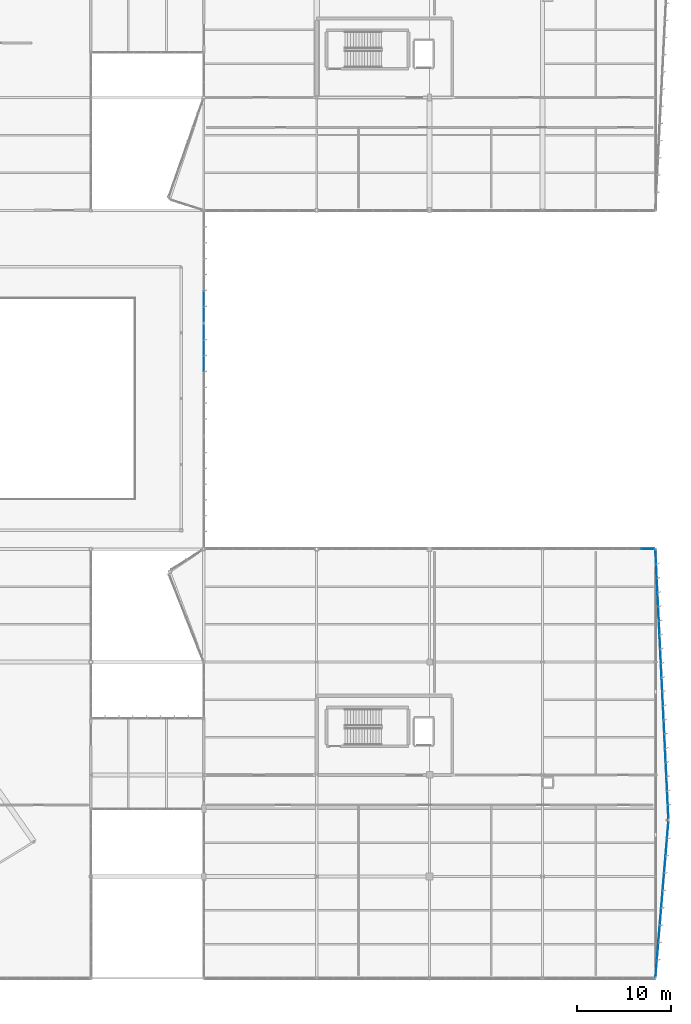
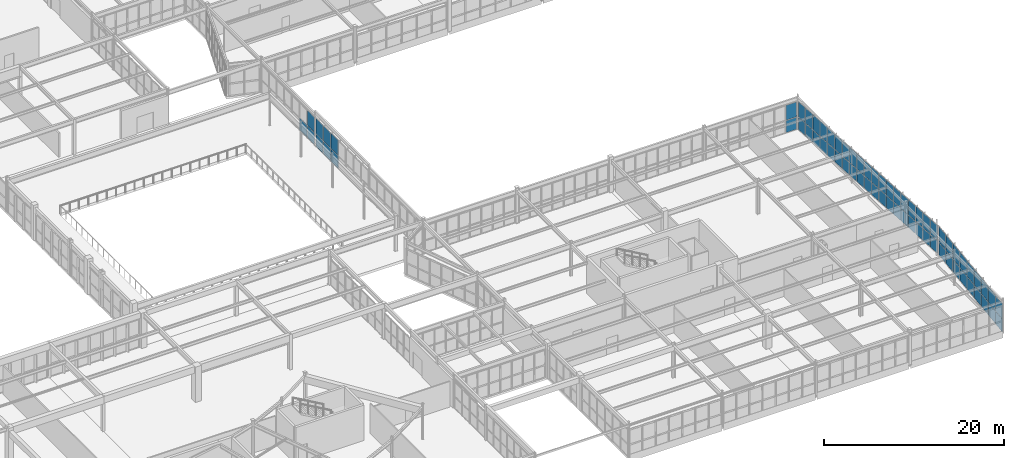
# One storey, part 123 of 186: 67 plates, 5 elements without a shape of their own.
"""IFC4 building model written with IfcOpenShell, lengths in metres."""

from ifc_helpers import new_model, si_unit, direction, frame, origin, origin_2d, place, context, subcontext, project, spatial, rectangle, extrude, material, layer, layer_set, type_object, element, aggregate, save


model = new_model("IFC4")

# Units and contexts
model_context = context("Model", 3, precision=1e-05, world=origin(), true_north=direction((0.0, 1.0)))
body_context = subcontext(model_context, "Body", "Model", "MODEL_VIEW")
ifc_project = project(units=[si_unit("LENGTHUNIT", "METRE"), si_unit("AREAUNIT", "SQUARE_METRE"), si_unit("VOLUMEUNIT", "CUBIC_METRE"), si_unit("PLANEANGLEUNIT", "RADIAN"), si_unit("MASSUNIT", "GRAM", prefix="KILO")], contexts=[model_context])

# Site, building, storey
site_placement = place(None, origin())
site = spatial("IfcSite", under=ifc_project, at=site_placement, CompositionType="ELEMENT")
building_placement = place(site_placement, origin())
building = spatial("IfcBuilding", under=site, at=building_placement, Name="Tarnwether General Hospital", CompositionType="ELEMENT")
storey_placement = place(building_placement, frame((0.0, 0.0, 9.60009765625)))
storey = spatial("IfcBuildingStorey", under=building, at=storey_placement, Name="L02", CompositionType="ELEMENT", Elevation=9.60009765625)

# Curtain wall, plates
ifc_material_1 = material(Name="Anodised aluminium", Category="aluminium")
ifc_layer_1 = layer(ifc_material_1, 0.179931640625)
ifc_layer_set_1 = layer_set([ifc_layer_1], Name="Anodised aluminium")
curtain_wall_type_1 = type_object("IfcCurtainWallType", Name="CW-06", PredefinedType="NOTDEFINED", material=ifc_layer_set_1)
curtain_wall_1_placement = place(storey_placement, origin())
curtain_wall_1 = element("IfcCurtainWall", 1, at=curtain_wall_1_placement, inside=storey, type_object=curtain_wall_type_1, Name="Curtain Wall CWG-L02-1440_815-0416", PredefinedType="NOTDEFINED")
ifc_material_2 = material(Name="Double glazed low-E glass", Category="glass")
ifc_layer_2 = layer(ifc_material_2, 0.028076171875)
ifc_layer_set_2 = layer_set([ifc_layer_2], Name="Double glazed low-E glass")
plate_type = type_object("IfcPlateType", Name="PT-CWP1", PredefinedType="CURTAIN_PANEL", material=ifc_layer_set_2)
plate_1_placement = place(storey_placement, frame((144.0, 72.21875, 0.06005859375), z_axis=(0.0, 0.0, 1.0), x_axis=(0.0, -1.0, 0.0)))
plate_1 = element("IfcPlate", 2, at=plate_1_placement, type_object=plate_type, Name="CW-06 panel 6.1", PredefinedType="CURTAIN_PANEL", context=body_context, shape_type="SweptSolid", body=[
    extrude(rectangle(XDim=1.62646484375, YDim=0.028076171875, at=origin_2d()), origin(), (0.0, 0.0, 1.0), 1.632568359375),
])
plate_2_placement = place(storey_placement, frame((144.0, 70.54736328125, 0.06005859375), z_axis=(0.0, 0.0, 1.0), x_axis=(0.0, -1.0, 0.0)))
plate_2 = element("IfcPlate", 3, at=plate_2_placement, type_object=plate_type, Name="CW-06 panel 7.1", PredefinedType="CURTAIN_PANEL", context=body_context, shape_type="SweptSolid", body=[
    extrude(rectangle(XDim=1.5966796875, YDim=0.028076171875, at=origin_2d()), origin(), (0.0, 0.0, 1.0), 1.632568359375),
])
plate_3_placement = place(storey_placement, frame((144.0, 70.54736328125, 1.75244140625), z_axis=(0.0, 0.0, 1.0), x_axis=(0.0, -1.0, 0.0)))
plate_3 = element("IfcPlate", 4, at=plate_3_placement, type_object=plate_type, Name="CW-06 panel 7.2", PredefinedType="CURTAIN_PANEL", context=body_context, shape_type="SweptSolid", body=[
    extrude(rectangle(XDim=1.5966796875, YDim=0.028076171875, at=origin_2d()), origin(), (0.0, 0.0, 1.0), 2.015380859375),
])
aggregate(curtain_wall_1, [plate_1, plate_2, plate_3])

curtain_wall_2_placement = place(storey_placement, origin())
curtain_wall_2 = element("IfcCurtainWall", 5, at=curtain_wall_2_placement, inside=storey, type_object=curtain_wall_type_1, Name="Curtain Wall CWG-L02-1440_695-0417", PredefinedType="NOTDEFINED")
plate_4_placement = place(storey_placement, frame((144.0, 68.653076171875, 0.06005859375), z_axis=(0.0, 0.0, 1.0), x_axis=(0.0, -1.0, 0.0)))
plate_4 = element("IfcPlate", 6, at=plate_4_placement, type_object=plate_type, Name="CW-06 panel 1.1", PredefinedType="CURTAIN_PANEL", context=body_context, shape_type="SweptSolid", body=[
    extrude(rectangle(XDim=1.595947265625, YDim=0.028076171875, at=origin_2d()), origin(), (0.0, 0.0, 1.0), 1.663818359375),
])
plate_5_placement = place(storey_placement, frame((144.0, 68.653076171875, 1.78369140625), z_axis=(0.0, 0.0, 1.0), x_axis=(0.0, -1.0, 0.0)))
plate_5 = element("IfcPlate", 7, at=plate_5_placement, type_object=plate_type, Name="CW-06 panel 1.2", PredefinedType="CURTAIN_PANEL", context=body_context, shape_type="SweptSolid", body=[
    extrude(rectangle(XDim=1.595947265625, YDim=0.028076171875, at=origin_2d()), origin(), (0.0, 0.0, 1.0), 2.05322265625),
])
plate_6_placement = place(storey_placement, frame((144.0, 66.982177734375, 0.06005859375), z_axis=(0.0, 0.0, 1.0), x_axis=(0.0, -1.0, 0.0)))
plate_6 = element("IfcPlate", 8, at=plate_6_placement, type_object=plate_type, Name="CW-06 panel 2.1", PredefinedType="CURTAIN_PANEL", context=body_context, shape_type="SweptSolid", body=[
    extrude(rectangle(XDim=1.6259765625, YDim=0.028076171875, at=origin_2d()), origin(), (0.0, 0.0, 1.0), 1.663818359375),
])
plate_7_placement = place(storey_placement, frame((144.0, 66.982177734375, 1.78369140625), z_axis=(0.0, 0.0, 1.0), x_axis=(0.0, -1.0, 0.0)))
plate_7 = element("IfcPlate", 9, at=plate_7_placement, type_object=plate_type, Name="CW-06 panel 2.2", PredefinedType="CURTAIN_PANEL", context=body_context, shape_type="SweptSolid", body=[
    extrude(rectangle(XDim=1.6259765625, YDim=0.028076171875, at=origin_2d()), origin(), (0.0, 0.0, 1.0), 2.05322265625),
])
plate_8_placement = place(storey_placement, frame((144.0, 65.29638671875, 0.06005859375), z_axis=(0.0, 0.0, 1.0), x_axis=(0.0, -1.0, 0.0)))
plate_8 = element("IfcPlate", 10, at=plate_8_placement, type_object=plate_type, Name="CW-06 panel 3.1", PredefinedType="CURTAIN_PANEL", context=body_context, shape_type="SweptSolid", body=[
    extrude(rectangle(XDim=1.6259765625, YDim=0.028076171875, at=origin_2d()), origin(), (0.0, 0.0, 1.0), 1.663818359375),
])
plate_9_placement = place(storey_placement, frame((144.0, 65.29638671875, 1.78369140625), z_axis=(0.0, 0.0, 1.0), x_axis=(0.0, -1.0, 0.0)))
plate_9 = element("IfcPlate", 11, at=plate_9_placement, type_object=plate_type, Name="CW-06 panel 3.2", PredefinedType="CURTAIN_PANEL", context=body_context, shape_type="SweptSolid", body=[
    extrude(rectangle(XDim=1.6259765625, YDim=0.028076171875, at=origin_2d()), origin(), (0.0, 0.0, 1.0), 2.05322265625),
])
aggregate(curtain_wall_2, [plate_4, plate_5, plate_6, plate_7, plate_8, plate_9])

ifc_material_3 = material(Name="Anodised aluminium", Category="aluminium")
ifc_layer_3 = layer(ifc_material_3, 0.159912109375)
ifc_layer_set_3 = layer_set([ifc_layer_3], Name="Anodised aluminium")
curtain_wall_type_2 = type_object("IfcCurtainWallType", Name="CW-18", PredefinedType="NOTDEFINED", material=ifc_layer_set_3)
curtain_wall_3_placement = place(storey_placement, origin())
curtain_wall_3 = element("IfcCurtainWall", 12, at=curtain_wall_3_placement, inside=storey, type_object=curtain_wall_type_2, Name="Curtain Wall CWG-L02-1802_456-0455", PredefinedType="NOTDEFINED")
plate_10_placement = place(storey_placement, frame((191.16650390625, 45.60009765625, 0.059814453125), z_axis=(0.0, 0.0, 1.0), x_axis=(1.0, 0.0, 0.0)))
plate_10 = element("IfcPlate", 13, at=plate_10_placement, type_object=plate_type, Name="CW-18 panel 8.1", PredefinedType="CURTAIN_PANEL", context=body_context, shape_type="SweptSolid", body=[
    extrude(rectangle(XDim=1.378662109375, YDim=0.028076171875, at=origin_2d()), origin(), (0.0, 0.0, 1.0), 1.63037109375),
])
plate_11_placement = place(storey_placement, frame((191.16650390625, 45.60009765625, 1.750244140625), z_axis=(0.0, 0.0, 1.0), x_axis=(1.0, 0.0, 0.0)))
plate_11 = element("IfcPlate", 14, at=plate_11_placement, type_object=plate_type, Name="CW-18 panel 8.2", PredefinedType="CURTAIN_PANEL", context=body_context, shape_type="SweptSolid", body=[
    extrude(rectangle(XDim=1.378662109375, YDim=0.028076171875, at=origin_2d()), origin(), (0.0, 0.0, 1.0), 2.0126953125),
])
aggregate(curtain_wall_3, [plate_10, plate_11])

curtain_wall_4_placement = place(storey_placement, origin())
curtain_wall_4 = element("IfcCurtainWall", 15, at=curtain_wall_4_placement, inside=storey, type_object=curtain_wall_type_2, Name="Curtain Wall CWG-L02-1920_455-0460", PredefinedType="NOTDEFINED")
plate_12_placement = place(storey_placement, frame((192.041259765625, 44.7451171875, 0.06005859375), z_axis=(0.0, 0.0, 1.0), x_axis=(0.048560307958, -0.998820252343, 0.0)))
plate_12 = element("IfcPlate", 16, at=plate_12_placement, type_object=plate_type, Name="CW-18 panel 1.1", PredefinedType="CURTAIN_PANEL", context=body_context, shape_type="SweptSolid", body=[
    extrude(rectangle(XDim=1.417724609375, YDim=0.028076171875, at=origin_2d()), origin(), (0.0, 0.0, 1.0), 1.661376953125),
])
plate_13_placement = place(storey_placement, frame((192.041259765625, 44.7451171875, 1.78125), z_axis=(0.0, 0.0, 1.0), x_axis=(0.048560307958, -0.998820252343, 0.0)))
plate_13 = element("IfcPlate", 17, at=plate_13_placement, type_object=plate_type, Name="CW-18 panel 1.2", PredefinedType="CURTAIN_PANEL", context=body_context, shape_type="SweptSolid", body=[
    extrude(rectangle(XDim=1.417724609375, YDim=0.028076171875, at=origin_2d()), origin(), (0.0, 0.0, 1.0), 2.050537109375),
])
plate_14_placement = place(storey_placement, frame((192.11376953125, 43.254150390625, 0.06005859375), z_axis=(0.0, 0.0, 1.0), x_axis=(0.048560307958, -0.998820252343, 0.0)))
plate_14 = element("IfcPlate", 18, at=plate_14_placement, type_object=plate_type, Name="CW-18 panel 2.1", PredefinedType="CURTAIN_PANEL", context=body_context, shape_type="SweptSolid", body=[
    extrude(rectangle(XDim=1.447509765625, YDim=0.028076171875, at=origin_2d()), origin(), (0.0, 0.0, 1.0), 1.661376953125),
])
plate_15_placement = place(storey_placement, frame((192.11376953125, 43.254150390625, 1.78125), z_axis=(0.0, 0.0, 1.0), x_axis=(0.048560307958, -0.998820252343, 0.0)))
plate_15 = element("IfcPlate", 19, at=plate_15_placement, type_object=plate_type, Name="CW-18 panel 2.2", PredefinedType="CURTAIN_PANEL", context=body_context, shape_type="SweptSolid", body=[
    extrude(rectangle(XDim=1.447509765625, YDim=0.028076171875, at=origin_2d()), origin(), (0.0, 0.0, 1.0), 2.050537109375),
])
plate_16_placement = place(storey_placement, frame((192.18701171875, 41.748291015625, 0.06005859375), z_axis=(0.0, 0.0, 1.0), x_axis=(0.048560307958, -0.998820252343, 0.0)))
plate_16 = element("IfcPlate", 20, at=plate_16_placement, type_object=plate_type, Name="CW-18 panel 3.1", PredefinedType="CURTAIN_PANEL", context=body_context, shape_type="SweptSolid", body=[
    extrude(rectangle(XDim=1.447509765625, YDim=0.028076171875, at=origin_2d()), origin(), (0.0, 0.0, 1.0), 1.661376953125),
])
plate_17_placement = place(storey_placement, frame((192.18701171875, 41.748291015625, 1.78125), z_axis=(0.0, 0.0, 1.0), x_axis=(0.048560307958, -0.998820252343, 0.0)))
plate_17 = element("IfcPlate", 21, at=plate_17_placement, type_object=plate_type, Name="CW-18 panel 3.2", PredefinedType="CURTAIN_PANEL", context=body_context, shape_type="SweptSolid", body=[
    extrude(rectangle(XDim=1.447509765625, YDim=0.028076171875, at=origin_2d()), origin(), (0.0, 0.0, 1.0), 2.050537109375),
])
plate_18_placement = place(storey_placement, frame((192.26025390625, 40.242431640625, 0.06005859375), z_axis=(0.0, 0.0, 1.0), x_axis=(0.048560307958, -0.998820252343, 0.0)))
plate_18 = element("IfcPlate", 22, at=plate_18_placement, type_object=plate_type, Name="CW-18 panel 4.1", PredefinedType="CURTAIN_PANEL", context=body_context, shape_type="SweptSolid", body=[
    extrude(rectangle(XDim=1.447509765625, YDim=0.028076171875, at=origin_2d()), origin(), (0.0, 0.0, 1.0), 1.661376953125),
])
plate_19_placement = place(storey_placement, frame((192.26025390625, 40.242431640625, 1.78125), z_axis=(0.0, 0.0, 1.0), x_axis=(0.048560307958, -0.998820252343, 0.0)))
plate_19 = element("IfcPlate", 23, at=plate_19_placement, type_object=plate_type, Name="CW-18 panel 4.2", PredefinedType="CURTAIN_PANEL", context=body_context, shape_type="SweptSolid", body=[
    extrude(rectangle(XDim=1.447509765625, YDim=0.028076171875, at=origin_2d()), origin(), (0.0, 0.0, 1.0), 2.050537109375),
])
plate_20_placement = place(storey_placement, frame((192.33349609375, 38.73681640625, 0.06005859375), z_axis=(0.0, 0.0, 1.0), x_axis=(0.048560307958, -0.998820252343, 0.0)))
plate_20 = element("IfcPlate", 24, at=plate_20_placement, type_object=plate_type, Name="CW-18 panel 5.1", PredefinedType="CURTAIN_PANEL", context=body_context, shape_type="SweptSolid", body=[
    extrude(rectangle(XDim=1.447509765625, YDim=0.028076171875, at=origin_2d()), origin(), (0.0, 0.0, 1.0), 1.661376953125),
])
plate_21_placement = place(storey_placement, frame((192.33349609375, 38.73681640625, 1.78125), z_axis=(0.0, 0.0, 1.0), x_axis=(0.048560307958, -0.998820252343, 0.0)))
plate_21 = element("IfcPlate", 25, at=plate_21_placement, type_object=plate_type, Name="CW-18 panel 5.2", PredefinedType="CURTAIN_PANEL", context=body_context, shape_type="SweptSolid", body=[
    extrude(rectangle(XDim=1.447509765625, YDim=0.028076171875, at=origin_2d()), origin(), (0.0, 0.0, 1.0), 2.050537109375),
])
plate_22_placement = place(storey_placement, frame((192.40673828125, 37.23095703125, 0.06005859375), z_axis=(0.0, 0.0, 1.0), x_axis=(0.048560307958, -0.998820252343, 0.0)))
plate_22 = element("IfcPlate", 26, at=plate_22_placement, type_object=plate_type, Name="CW-18 panel 6.1", PredefinedType="CURTAIN_PANEL", context=body_context, shape_type="SweptSolid", body=[
    extrude(rectangle(XDim=1.447509765625, YDim=0.028076171875, at=origin_2d()), origin(), (0.0, 0.0, 1.0), 1.661376953125),
])
plate_23_placement = place(storey_placement, frame((192.40673828125, 37.23095703125, 1.78125), z_axis=(0.0, 0.0, 1.0), x_axis=(0.048560307958, -0.998820252343, 0.0)))
plate_23 = element("IfcPlate", 27, at=plate_23_placement, type_object=plate_type, Name="CW-18 panel 6.2", PredefinedType="CURTAIN_PANEL", context=body_context, shape_type="SweptSolid", body=[
    extrude(rectangle(XDim=1.447509765625, YDim=0.028076171875, at=origin_2d()), origin(), (0.0, 0.0, 1.0), 2.050537109375),
])
plate_24_placement = place(storey_placement, frame((192.47998046875, 35.72509765625, 0.06005859375), z_axis=(0.0, 0.0, 1.0), x_axis=(0.048560307958, -0.998820252343, 0.0)))
plate_24 = element("IfcPlate", 28, at=plate_24_placement, type_object=plate_type, Name="CW-18 panel 7.1", PredefinedType="CURTAIN_PANEL", context=body_context, shape_type="SweptSolid", body=[
    extrude(rectangle(XDim=1.447509765625, YDim=0.028076171875, at=origin_2d()), origin(), (0.0, 0.0, 1.0), 1.661376953125),
])
plate_25_placement = place(storey_placement, frame((192.47998046875, 35.72509765625, 1.78125), z_axis=(0.0, 0.0, 1.0), x_axis=(0.048560307958, -0.998820252343, 0.0)))
plate_25 = element("IfcPlate", 29, at=plate_25_placement, type_object=plate_type, Name="CW-18 panel 7.2", PredefinedType="CURTAIN_PANEL", context=body_context, shape_type="SweptSolid", body=[
    extrude(rectangle(XDim=1.447509765625, YDim=0.028076171875, at=origin_2d()), origin(), (0.0, 0.0, 1.0), 2.050537109375),
])
plate_26_placement = place(storey_placement, frame((192.552978515625, 34.21923828125, 0.06005859375), z_axis=(0.0, 0.0, 1.0), x_axis=(0.048560307958, -0.998820252343, 0.0)))
plate_26 = element("IfcPlate", 30, at=plate_26_placement, type_object=plate_type, Name="CW-18 panel 8.1", PredefinedType="CURTAIN_PANEL", context=body_context, shape_type="SweptSolid", body=[
    extrude(rectangle(XDim=1.447509765625, YDim=0.028076171875, at=origin_2d()), origin(), (0.0, 0.0, 1.0), 1.661376953125),
])
plate_27_placement = place(storey_placement, frame((192.552978515625, 34.21923828125, 1.78125), z_axis=(0.0, 0.0, 1.0), x_axis=(0.048560307958, -0.998820252343, 0.0)))
plate_27 = element("IfcPlate", 31, at=plate_27_placement, type_object=plate_type, Name="CW-18 panel 8.2", PredefinedType="CURTAIN_PANEL", context=body_context, shape_type="SweptSolid", body=[
    extrude(rectangle(XDim=1.447509765625, YDim=0.028076171875, at=origin_2d()), origin(), (0.0, 0.0, 1.0), 2.050537109375),
])
plate_28_placement = place(storey_placement, frame((192.626220703125, 32.71337890625, 0.06005859375), z_axis=(0.0, 0.0, 1.0), x_axis=(0.048560307958, -0.998820252343, 0.0)))
plate_28 = element("IfcPlate", 32, at=plate_28_placement, type_object=plate_type, Name="CW-18 panel 9.1", PredefinedType="CURTAIN_PANEL", context=body_context, shape_type="SweptSolid", body=[
    extrude(rectangle(XDim=1.447509765625, YDim=0.028076171875, at=origin_2d()), origin(), (0.0, 0.0, 1.0), 1.661376953125),
])
plate_29_placement = place(storey_placement, frame((192.626220703125, 32.71337890625, 1.78125), z_axis=(0.0, 0.0, 1.0), x_axis=(0.048560307958, -0.998820252343, 0.0)))
plate_29 = element("IfcPlate", 33, at=plate_29_placement, type_object=plate_type, Name="CW-18 panel 9.2", PredefinedType="CURTAIN_PANEL", context=body_context, shape_type="SweptSolid", body=[
    extrude(rectangle(XDim=1.447509765625, YDim=0.028076171875, at=origin_2d()), origin(), (0.0, 0.0, 1.0), 2.050537109375),
])
plate_30_placement = place(storey_placement, frame((192.699462890625, 31.20751953125, 0.06005859375), z_axis=(0.0, 0.0, 1.0), x_axis=(0.048560307958, -0.998820252343, 0.0)))
plate_30 = element("IfcPlate", 34, at=plate_30_placement, type_object=plate_type, Name="CW-18 panel 10.1", PredefinedType="CURTAIN_PANEL", context=body_context, shape_type="SweptSolid", body=[
    extrude(rectangle(XDim=1.447509765625, YDim=0.028076171875, at=origin_2d()), origin(), (0.0, 0.0, 1.0), 1.661376953125),
])
plate_31_placement = place(storey_placement, frame((192.699462890625, 31.20751953125, 1.78125), z_axis=(0.0, 0.0, 1.0), x_axis=(0.048560307958, -0.998820252343, 0.0)))
plate_31 = element("IfcPlate", 35, at=plate_31_placement, type_object=plate_type, Name="CW-18 panel 10.2", PredefinedType="CURTAIN_PANEL", context=body_context, shape_type="SweptSolid", body=[
    extrude(rectangle(XDim=1.447509765625, YDim=0.028076171875, at=origin_2d()), origin(), (0.0, 0.0, 1.0), 2.050537109375),
])
plate_32_placement = place(storey_placement, frame((192.772705078125, 29.70166015625, 0.06005859375), z_axis=(0.0, 0.0, 1.0), x_axis=(0.048560307958, -0.998820252343, 0.0)))
plate_32 = element("IfcPlate", 36, at=plate_32_placement, type_object=plate_type, Name="CW-18 panel 11.1", PredefinedType="CURTAIN_PANEL", context=body_context, shape_type="SweptSolid", body=[
    extrude(rectangle(XDim=1.447509765625, YDim=0.028076171875, at=origin_2d()), origin(), (0.0, 0.0, 1.0), 1.661376953125),
])
plate_33_placement = place(storey_placement, frame((192.772705078125, 29.70166015625, 1.78125), z_axis=(0.0, 0.0, 1.0), x_axis=(0.048560307958, -0.998820252343, 0.0)))
plate_33 = element("IfcPlate", 37, at=plate_33_placement, type_object=plate_type, Name="CW-18 panel 11.2", PredefinedType="CURTAIN_PANEL", context=body_context, shape_type="SweptSolid", body=[
    extrude(rectangle(XDim=1.447509765625, YDim=0.028076171875, at=origin_2d()), origin(), (0.0, 0.0, 1.0), 2.050537109375),
])
plate_34_placement = place(storey_placement, frame((192.845947265625, 28.19580078125, 0.06005859375), z_axis=(0.0, 0.0, 1.0), x_axis=(0.048560307958, -0.998820252343, 0.0)))
plate_34 = element("IfcPlate", 38, at=plate_34_placement, type_object=plate_type, Name="CW-18 panel 12.1", PredefinedType="CURTAIN_PANEL", context=body_context, shape_type="SweptSolid", body=[
    extrude(rectangle(XDim=1.447509765625, YDim=0.028076171875, at=origin_2d()), origin(), (0.0, 0.0, 1.0), 1.661376953125),
])
plate_35_placement = place(storey_placement, frame((192.845947265625, 28.19580078125, 1.78125), z_axis=(0.0, 0.0, 1.0), x_axis=(0.048560307958, -0.998820252343, 0.0)))
plate_35 = element("IfcPlate", 39, at=plate_35_placement, type_object=plate_type, Name="CW-18 panel 12.2", PredefinedType="CURTAIN_PANEL", context=body_context, shape_type="SweptSolid", body=[
    extrude(rectangle(XDim=1.447509765625, YDim=0.028076171875, at=origin_2d()), origin(), (0.0, 0.0, 1.0), 2.050537109375),
])
plate_36_placement = place(storey_placement, frame((192.919189453125, 26.68994140625, 0.06005859375), z_axis=(0.0, 0.0, 1.0), x_axis=(0.048560307958, -0.998820252343, 0.0)))
plate_36 = element("IfcPlate", 40, at=plate_36_placement, type_object=plate_type, Name="CW-18 panel 13.1", PredefinedType="CURTAIN_PANEL", context=body_context, shape_type="SweptSolid", body=[
    extrude(rectangle(XDim=1.447509765625, YDim=0.028076171875, at=origin_2d()), origin(), (0.0, 0.0, 1.0), 1.661376953125),
])
plate_37_placement = place(storey_placement, frame((192.919189453125, 26.68994140625, 1.78125), z_axis=(0.0, 0.0, 1.0), x_axis=(0.048560307958, -0.998820252343, 0.0)))
plate_37 = element("IfcPlate", 41, at=plate_37_placement, type_object=plate_type, Name="CW-18 panel 13.2", PredefinedType="CURTAIN_PANEL", context=body_context, shape_type="SweptSolid", body=[
    extrude(rectangle(XDim=1.447509765625, YDim=0.028076171875, at=origin_2d()), origin(), (0.0, 0.0, 1.0), 2.050537109375),
])
plate_38_placement = place(storey_placement, frame((192.992431640625, 25.18408203125, 0.06005859375), z_axis=(0.0, 0.0, 1.0), x_axis=(0.048560307958, -0.998820252343, 0.0)))
plate_38 = element("IfcPlate", 42, at=plate_38_placement, type_object=plate_type, Name="CW-18 panel 14.1", PredefinedType="CURTAIN_PANEL", context=body_context, shape_type="SweptSolid", body=[
    extrude(rectangle(XDim=1.447509765625, YDim=0.028076171875, at=origin_2d()), origin(), (0.0, 0.0, 1.0), 1.661376953125),
])
plate_39_placement = place(storey_placement, frame((192.992431640625, 25.18408203125, 1.78125), z_axis=(0.0, 0.0, 1.0), x_axis=(0.048560307958, -0.998820252343, 0.0)))
plate_39 = element("IfcPlate", 43, at=plate_39_placement, type_object=plate_type, Name="CW-18 panel 14.2", PredefinedType="CURTAIN_PANEL", context=body_context, shape_type="SweptSolid", body=[
    extrude(rectangle(XDim=1.447509765625, YDim=0.028076171875, at=origin_2d()), origin(), (0.0, 0.0, 1.0), 2.050537109375),
])
plate_40_placement = place(storey_placement, frame((193.065673828125, 23.67822265625, 0.06005859375), z_axis=(0.0, 0.0, 1.0), x_axis=(0.048560307958, -0.998820252343, 0.0)))
plate_40 = element("IfcPlate", 44, at=plate_40_placement, type_object=plate_type, Name="CW-18 panel 15.1", PredefinedType="CURTAIN_PANEL", context=body_context, shape_type="SweptSolid", body=[
    extrude(rectangle(XDim=1.447509765625, YDim=0.028076171875, at=origin_2d()), origin(), (0.0, 0.0, 1.0), 1.661376953125),
])
plate_41_placement = place(storey_placement, frame((193.065673828125, 23.67822265625, 1.78125), z_axis=(0.0, 0.0, 1.0), x_axis=(0.048560307958, -0.998820252343, 0.0)))
plate_41 = element("IfcPlate", 45, at=plate_41_placement, type_object=plate_type, Name="CW-18 panel 15.2", PredefinedType="CURTAIN_PANEL", context=body_context, shape_type="SweptSolid", body=[
    extrude(rectangle(XDim=1.447509765625, YDim=0.028076171875, at=origin_2d()), origin(), (0.0, 0.0, 1.0), 2.050537109375),
])
plate_42_placement = place(storey_placement, frame((193.138671875, 22.17236328125, 0.06005859375), z_axis=(0.0, 0.0, 1.0), x_axis=(0.048560307958, -0.998820252343, 0.0)))
plate_42 = element("IfcPlate", 46, at=plate_42_placement, type_object=plate_type, Name="CW-18 panel 16.1", PredefinedType="CURTAIN_PANEL", context=body_context, shape_type="SweptSolid", body=[
    extrude(rectangle(XDim=1.447509765625, YDim=0.028076171875, at=origin_2d()), origin(), (0.0, 0.0, 1.0), 1.661376953125),
])
plate_43_placement = place(storey_placement, frame((193.138671875, 22.17236328125, 1.78125), z_axis=(0.0, 0.0, 1.0), x_axis=(0.048560307958, -0.998820252343, 0.0)))
plate_43 = element("IfcPlate", 47, at=plate_43_placement, type_object=plate_type, Name="CW-18 panel 16.2", PredefinedType="CURTAIN_PANEL", context=body_context, shape_type="SweptSolid", body=[
    extrude(rectangle(XDim=1.447509765625, YDim=0.028076171875, at=origin_2d()), origin(), (0.0, 0.0, 1.0), 2.050537109375),
])
plate_44_placement = place(storey_placement, frame((193.2119140625, 20.66650390625, 0.06005859375), z_axis=(0.0, 0.0, 1.0), x_axis=(0.048560307958, -0.998820252343, 0.0)))
plate_44 = element("IfcPlate", 48, at=plate_44_placement, type_object=plate_type, Name="CW-18 panel 17.1", PredefinedType="CURTAIN_PANEL", context=body_context, shape_type="SweptSolid", body=[
    extrude(rectangle(XDim=1.447509765625, YDim=0.028076171875, at=origin_2d()), origin(), (0.0, 0.0, 1.0), 1.661376953125),
])
plate_45_placement = place(storey_placement, frame((193.2119140625, 20.66650390625, 1.78125), z_axis=(0.0, 0.0, 1.0), x_axis=(0.048560307958, -0.998820252343, 0.0)))
plate_45 = element("IfcPlate", 49, at=plate_45_placement, type_object=plate_type, Name="CW-18 panel 17.2", PredefinedType="CURTAIN_PANEL", context=body_context, shape_type="SweptSolid", body=[
    extrude(rectangle(XDim=1.447509765625, YDim=0.028076171875, at=origin_2d()), origin(), (0.0, 0.0, 1.0), 2.050537109375),
])
plate_46_placement = place(storey_placement, frame((193.28515625, 19.16064453125, 0.06005859375), z_axis=(0.0, 0.0, 1.0), x_axis=(0.048560307958, -0.998820252343, 0.0)))
plate_46 = element("IfcPlate", 50, at=plate_46_placement, type_object=plate_type, Name="CW-18 panel 18.1", PredefinedType="CURTAIN_PANEL", context=body_context, shape_type="SweptSolid", body=[
    extrude(rectangle(XDim=1.447509765625, YDim=0.028076171875, at=origin_2d()), origin(), (0.0, 0.0, 1.0), 1.661376953125),
])
plate_47_placement = place(storey_placement, frame((193.28515625, 19.16064453125, 1.78125), z_axis=(0.0, 0.0, 1.0), x_axis=(0.048560307958, -0.998820252343, 0.0)))
plate_47 = element("IfcPlate", 51, at=plate_47_placement, type_object=plate_type, Name="CW-18 panel 18.2", PredefinedType="CURTAIN_PANEL", context=body_context, shape_type="SweptSolid", body=[
    extrude(rectangle(XDim=1.447509765625, YDim=0.028076171875, at=origin_2d()), origin(), (0.0, 0.0, 1.0), 2.050537109375),
])
plate_48_placement = place(storey_placement, frame((193.357666015625, 17.669921875, 0.06005859375), z_axis=(0.0, 0.0, 1.0), x_axis=(0.048560307958, -0.998820252343, 0.0)))
plate_48 = element("IfcPlate", 52, at=plate_48_placement, type_object=plate_type, Name="CW-18 panel 19.1", PredefinedType="CURTAIN_PANEL", context=body_context, shape_type="SweptSolid", body=[
    extrude(rectangle(XDim=1.417724609375, YDim=0.028076171875, at=origin_2d()), origin(), (0.0, 0.0, 1.0), 1.661376953125),
])
plate_49_placement = place(storey_placement, frame((193.357666015625, 17.669921875, 1.78125), z_axis=(0.0, 0.0, 1.0), x_axis=(0.048560307958, -0.998820252343, 0.0)))
plate_49 = element("IfcPlate", 53, at=plate_49_placement, type_object=plate_type, Name="CW-18 panel 19.2", PredefinedType="CURTAIN_PANEL", context=body_context, shape_type="SweptSolid", body=[
    extrude(rectangle(XDim=1.417724609375, YDim=0.028076171875, at=origin_2d()), origin(), (0.0, 0.0, 1.0), 2.050537109375),
])
aggregate(curtain_wall_4, [plate_12, plate_13, plate_14, plate_15, plate_16, plate_17, plate_18, plate_19, plate_20, plate_21, plate_22, plate_23, plate_24, plate_25, plate_26, plate_27, plate_28, plate_29, plate_30, plate_31, plate_32, plate_33, plate_34, plate_35, plate_36, plate_37, plate_38, plate_39, plate_40, plate_41, plate_42, plate_43, plate_44, plate_45, plate_46, plate_47, plate_48, plate_49])

ifc_material_4 = material(Name="Anodised aluminium", Category="aluminium")
ifc_layer_4 = layer(ifc_material_4, 0.159912109375)
ifc_layer_set_4 = layer_set([ifc_layer_4], Name="Anodised aluminium")
curtain_wall_type_3 = type_object("IfcCurtainWallType", Name="CW-19", PredefinedType="NOTDEFINED", material=ifc_layer_set_4)
curtain_wall_5_placement = place(storey_placement, origin())
curtain_wall_5 = element("IfcCurtainWall", 54, at=curtain_wall_5_placement, inside=storey, type_object=curtain_wall_type_3, Name="Curtain Wall CWG-L02-1934_167-0461", PredefinedType="NOTDEFINED")
plate_50_placement = place(storey_placement, frame((193.31298828125, 15.752197265625, 0.06005859375), z_axis=(0.0, 0.0, 1.0), x_axis=(-0.083055419904, -0.996544929857, 0.0)))
plate_50 = element("IfcPlate", 55, at=plate_50_placement, type_object=plate_type, Name="CW-19 panel 1.1", PredefinedType="CURTAIN_PANEL", context=body_context, shape_type="SweptSolid", body=[
    extrude(rectangle(XDim=1.76025390625, YDim=0.028076171875, at=origin_2d()), origin(), (0.0, 0.0, 1.0), 1.697021484375),
])
plate_51_placement = place(storey_placement, frame((193.31298828125, 15.752197265625, 1.81689453125), z_axis=(0.0, 0.0, 1.0), x_axis=(-0.083055419904, -0.996544929857, 0.0)))
plate_51 = element("IfcPlate", 56, at=plate_51_placement, type_object=plate_type, Name="CW-19 panel 1.2", PredefinedType="CURTAIN_PANEL", context=body_context, shape_type="SweptSolid", body=[
    extrude(rectangle(XDim=1.76025390625, YDim=0.028076171875, at=origin_2d()), origin(), (0.0, 0.0, 1.0), 2.093994140625),
])
plate_52_placement = place(storey_placement, frame((193.160400390625, 13.92333984375, 0.06005859375), z_axis=(0.0, 0.0, 1.0), x_axis=(-0.083055419904, -0.996544929857, 0.0)))
plate_52 = element("IfcPlate", 57, at=plate_52_placement, type_object=plate_type, Name="CW-19 panel 2.1", PredefinedType="CURTAIN_PANEL", context=body_context, shape_type="SweptSolid", body=[
    extrude(rectangle(XDim=1.790283203125, YDim=0.028076171875, at=origin_2d()), origin(), (0.0, 0.0, 1.0), 1.697021484375),
])
plate_53_placement = place(storey_placement, frame((193.160400390625, 13.92333984375, 1.81689453125), z_axis=(0.0, 0.0, 1.0), x_axis=(-0.083055419904, -0.996544929857, 0.0)))
plate_53 = element("IfcPlate", 58, at=plate_53_placement, type_object=plate_type, Name="CW-19 panel 2.2", PredefinedType="CURTAIN_PANEL", context=body_context, shape_type="SweptSolid", body=[
    extrude(rectangle(XDim=1.790283203125, YDim=0.028076171875, at=origin_2d()), origin(), (0.0, 0.0, 1.0), 2.093994140625),
])
plate_54_placement = place(storey_placement, frame((193.0068359375, 12.07958984375, 0.06005859375), z_axis=(0.0, 0.0, 1.0), x_axis=(-0.083055419904, -0.996544929857, 0.0)))
plate_54 = element("IfcPlate", 59, at=plate_54_placement, type_object=plate_type, Name="CW-19 panel 3.1", PredefinedType="CURTAIN_PANEL", context=body_context, shape_type="SweptSolid", body=[
    extrude(rectangle(XDim=1.790283203125, YDim=0.028076171875, at=origin_2d()), origin(), (0.0, 0.0, 1.0), 1.697021484375),
])
plate_55_placement = place(storey_placement, frame((193.0068359375, 12.07958984375, 1.81689453125), z_axis=(0.0, 0.0, 1.0), x_axis=(-0.083055419904, -0.996544929857, 0.0)))
plate_55 = element("IfcPlate", 60, at=plate_55_placement, type_object=plate_type, Name="CW-19 panel 3.2", PredefinedType="CURTAIN_PANEL", context=body_context, shape_type="SweptSolid", body=[
    extrude(rectangle(XDim=1.790283203125, YDim=0.028076171875, at=origin_2d()), origin(), (0.0, 0.0, 1.0), 2.093994140625),
])
plate_56_placement = place(storey_placement, frame((192.853271484375, 10.23583984375, 0.06005859375), z_axis=(0.0, 0.0, 1.0), x_axis=(-0.083055419904, -0.996544929857, 0.0)))
plate_56 = element("IfcPlate", 61, at=plate_56_placement, type_object=plate_type, Name="CW-19 panel 4.1", PredefinedType="CURTAIN_PANEL", context=body_context, shape_type="SweptSolid", body=[
    extrude(rectangle(XDim=1.790283203125, YDim=0.028076171875, at=origin_2d()), origin(), (0.0, 0.0, 1.0), 1.697021484375),
])
plate_57_placement = place(storey_placement, frame((192.853271484375, 10.23583984375, 1.81689453125), z_axis=(0.0, 0.0, 1.0), x_axis=(-0.083055419904, -0.996544929857, 0.0)))
plate_57 = element("IfcPlate", 62, at=plate_57_placement, type_object=plate_type, Name="CW-19 panel 4.2", PredefinedType="CURTAIN_PANEL", context=body_context, shape_type="SweptSolid", body=[
    extrude(rectangle(XDim=1.790283203125, YDim=0.028076171875, at=origin_2d()), origin(), (0.0, 0.0, 1.0), 2.093994140625),
])
plate_58_placement = place(storey_placement, frame((192.699462890625, 8.39208984375, 0.06005859375), z_axis=(0.0, 0.0, 1.0), x_axis=(-0.083055419904, -0.996544929857, 0.0)))
plate_58 = element("IfcPlate", 63, at=plate_58_placement, type_object=plate_type, Name="CW-19 panel 5.1", PredefinedType="CURTAIN_PANEL", context=body_context, shape_type="SweptSolid", body=[
    extrude(rectangle(XDim=1.790283203125, YDim=0.028076171875, at=origin_2d()), origin(), (0.0, 0.0, 1.0), 1.697021484375),
])
plate_59_placement = place(storey_placement, frame((192.699462890625, 8.39208984375, 1.81689453125), z_axis=(0.0, 0.0, 1.0), x_axis=(-0.083055419904, -0.996544929857, 0.0)))
plate_59 = element("IfcPlate", 64, at=plate_59_placement, type_object=plate_type, Name="CW-19 panel 5.2", PredefinedType="CURTAIN_PANEL", context=body_context, shape_type="SweptSolid", body=[
    extrude(rectangle(XDim=1.790283203125, YDim=0.028076171875, at=origin_2d()), origin(), (0.0, 0.0, 1.0), 2.093994140625),
])
plate_60_placement = place(storey_placement, frame((192.5458984375, 6.54833984375, 0.06005859375), z_axis=(0.0, 0.0, 1.0), x_axis=(-0.083055419904, -0.996544929857, 0.0)))
plate_60 = element("IfcPlate", 65, at=plate_60_placement, type_object=plate_type, Name="CW-19 panel 6.1", PredefinedType="CURTAIN_PANEL", context=body_context, shape_type="SweptSolid", body=[
    extrude(rectangle(XDim=1.790283203125, YDim=0.028076171875, at=origin_2d()), origin(), (0.0, 0.0, 1.0), 1.697021484375),
])
plate_61_placement = place(storey_placement, frame((192.5458984375, 6.54833984375, 1.81689453125), z_axis=(0.0, 0.0, 1.0), x_axis=(-0.083055419904, -0.996544929857, 0.0)))
plate_61 = element("IfcPlate", 66, at=plate_61_placement, type_object=plate_type, Name="CW-19 panel 6.2", PredefinedType="CURTAIN_PANEL", context=body_context, shape_type="SweptSolid", body=[
    extrude(rectangle(XDim=1.790283203125, YDim=0.028076171875, at=origin_2d()), origin(), (0.0, 0.0, 1.0), 2.093994140625),
])
plate_62_placement = place(storey_placement, frame((192.39208984375, 4.704345703125, 0.06005859375), z_axis=(0.0, 0.0, 1.0), x_axis=(-0.083055419904, -0.996544929857, 0.0)))
plate_62 = element("IfcPlate", 67, at=plate_62_placement, type_object=plate_type, Name="CW-19 panel 7.1", PredefinedType="CURTAIN_PANEL", context=body_context, shape_type="SweptSolid", body=[
    extrude(rectangle(XDim=1.790283203125, YDim=0.028076171875, at=origin_2d()), origin(), (0.0, 0.0, 1.0), 1.697021484375),
])
plate_63_placement = place(storey_placement, frame((192.39208984375, 4.704345703125, 1.81689453125), z_axis=(0.0, 0.0, 1.0), x_axis=(-0.083055419904, -0.996544929857, 0.0)))
plate_63 = element("IfcPlate", 68, at=plate_63_placement, type_object=plate_type, Name="CW-19 panel 7.2", PredefinedType="CURTAIN_PANEL", context=body_context, shape_type="SweptSolid", body=[
    extrude(rectangle(XDim=1.790283203125, YDim=0.028076171875, at=origin_2d()), origin(), (0.0, 0.0, 1.0), 2.093994140625),
])
plate_64_placement = place(storey_placement, frame((192.238525390625, 2.860595703125, 0.06005859375), z_axis=(0.0, 0.0, 1.0), x_axis=(-0.083055419904, -0.996544929857, 0.0)))
plate_64 = element("IfcPlate", 69, at=plate_64_placement, type_object=plate_type, Name="CW-19 panel 8.1", PredefinedType="CURTAIN_PANEL", context=body_context, shape_type="SweptSolid", body=[
    extrude(rectangle(XDim=1.790283203125, YDim=0.028076171875, at=origin_2d()), origin(), (0.0, 0.0, 1.0), 1.697021484375),
])
plate_65_placement = place(storey_placement, frame((192.238525390625, 2.860595703125, 1.81689453125), z_axis=(0.0, 0.0, 1.0), x_axis=(-0.083055419904, -0.996544929857, 0.0)))
plate_65 = element("IfcPlate", 70, at=plate_65_placement, type_object=plate_type, Name="CW-19 panel 8.2", PredefinedType="CURTAIN_PANEL", context=body_context, shape_type="SweptSolid", body=[
    extrude(rectangle(XDim=1.790283203125, YDim=0.028076171875, at=origin_2d()), origin(), (0.0, 0.0, 1.0), 2.093994140625),
])
plate_66_placement = place(storey_placement, frame((192.086181640625, 1.03173828125, 0.06005859375), z_axis=(0.0, 0.0, 1.0), x_axis=(-0.083055419904, -0.996544929857, 0.0)))
plate_66 = element("IfcPlate", 71, at=plate_66_placement, type_object=plate_type, Name="CW-19 panel 9.1", PredefinedType="CURTAIN_PANEL", context=body_context, shape_type="SweptSolid", body=[
    extrude(rectangle(XDim=1.76025390625, YDim=0.028076171875, at=origin_2d()), origin(), (0.0, 0.0, 1.0), 1.697021484375),
])
plate_67_placement = place(storey_placement, frame((192.086181640625, 1.03173828125, 1.81689453125), z_axis=(0.0, 0.0, 1.0), x_axis=(-0.083055419904, -0.996544929857, 0.0)))
plate_67 = element("IfcPlate", 72, at=plate_67_placement, type_object=plate_type, Name="CW-19 panel 9.2", PredefinedType="CURTAIN_PANEL", context=body_context, shape_type="SweptSolid", body=[
    extrude(rectangle(XDim=1.76025390625, YDim=0.028076171875, at=origin_2d()), origin(), (0.0, 0.0, 1.0), 2.093994140625),
])
aggregate(curtain_wall_5, [plate_50, plate_51, plate_52, plate_53, plate_54, plate_55, plate_56, plate_57, plate_58, plate_59, plate_60, plate_61, plate_62, plate_63, plate_64, plate_65, plate_66, plate_67])

save(model, "model.ifc")
